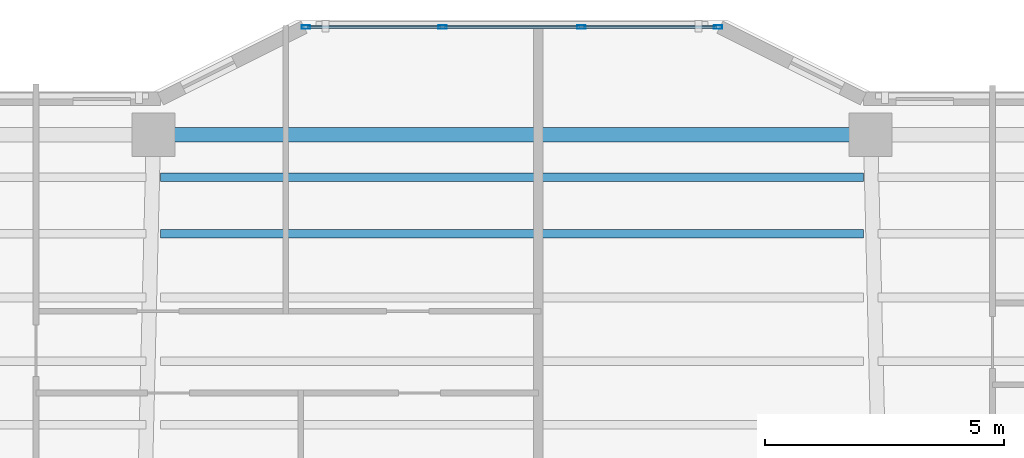
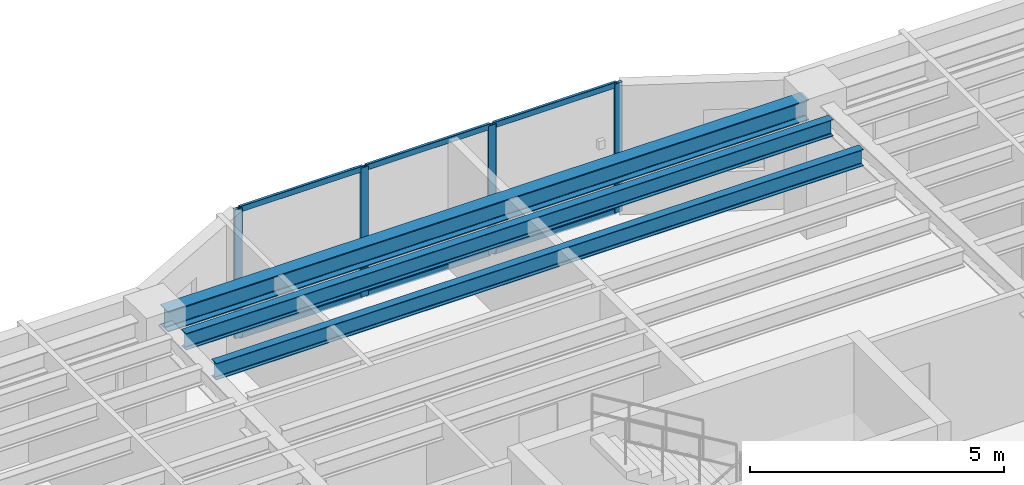
# One storey, part 4 of 15: 10 members, 3 beams, 1 element without a shape of its own.
"""IFC4 building model written with IfcOpenShell, lengths in metres."""

from ifc_helpers import new_model, si_unit, direction, frame, origin, origin_2d, place, context, subcontext, project, spatial, hollow_rectangle, i_section, extrude, material, layer, layer_set, material_profile, profile_set, type_object, element, aggregate, save


model = new_model("IFC4")

# Units and contexts
model_context = context("Model", 3, precision=1e-05, world=origin(), true_north=direction((0.0, 1.0)))
body_context = subcontext(model_context, "Body", "Model", "MODEL_VIEW")
ifc_project = project(units=[si_unit("LENGTHUNIT", "METRE"), si_unit("AREAUNIT", "SQUARE_METRE"), si_unit("VOLUMEUNIT", "CUBIC_METRE"), si_unit("PLANEANGLEUNIT", "RADIAN"), si_unit("MASSUNIT", "GRAM", prefix="KILO")], contexts=[model_context])

# Site, building, storey
site_placement = place(None, origin())
site = spatial("IfcSite", under=ifc_project, at=site_placement, CompositionType="ELEMENT")
building_placement = place(site_placement, origin())
building = spatial("IfcBuilding", under=site, at=building_placement, Name="Tarnavaz Court Tower", CompositionType="ELEMENT")
storey_placement = place(building_placement, frame((0.0, 0.0, 159.39990234375)))
storey = spatial("IfcBuildingStorey", under=building, at=storey_placement, Name="L43", CompositionType="ELEMENT", Elevation=159.39990234375)

# Beams
ifc_material_1 = material(Name="Steel S355", Category="steel")
ifc_material_profile_1 = material_profile(ifc_material_1, i_section(OverallWidth=0.179931640625, OverallDepth=0.39990234375, WebThickness=0.008544921875, FlangeThickness=0.013427734375, FilletRadius=0.02099609375, at=origin_2d()), Name="IPE 400")
ifc_profile_set_1 = profile_set([ifc_material_profile_1], Name="Steel S355")
beam_type_1 = type_object("IfcBeamType", Name="BM-J-IPE400", PredefinedType="JOIST", material=ifc_profile_set_1)
for number, where, z_axis, x_axis, name in (
    (1, (-7.35009765625, 18.327880859375, 2.900146484375), (1.0, 0.0, 0.0), (0.0, 1.0, 0.0), "L43 Beam JN4-2"),
    (2, (-7.35009765625, 19.511962890625, 2.900146484375), (1.0, 0.0, 0.0), (0.0, 1.0, 0.0), "L43 Beam JN5-2"),
):
    element("IfcBeam", number, at=place(storey_placement, frame(where, z_axis=z_axis, x_axis=x_axis)), inside=storey, type_object=beam_type_1, Name=name, PredefinedType="JOIST", context=body_context, shape_type="SweptSolid", body=[
        extrude(i_section(OverallWidth=0.179931640625, OverallDepth=0.39990234375, WebThickness=0.008544921875, FlangeThickness=0.013427734375, FilletRadius=0.02099609375, at=origin_2d()), origin(), (0.0, 0.0, 1.0), 14.7001953125),
    ])
ifc_material_profile_2 = material_profile(ifc_material_1, i_section(OverallWidth=0.300048828125, OverallDepth=0.489990234375, WebThickness=0.011962890625, FlangeThickness=0.02294921875, FilletRadius=0.027099609375, at=origin_2d()), Name="HEA 500")
ifc_profile_set_2 = profile_set([ifc_material_profile_2], Name="Steel S355")
beam_type_2 = type_object("IfcBeamType", Name="BM-SP-HEA500", PredefinedType="SPANDREL", material=ifc_profile_set_2)
beam_placement = place(storey_placement, frame((-7.280029296875, 20.39990234375, 2.85498046875), z_axis=(1.0, 0.0, 0.0), x_axis=(0.0, 1.0, 0.0)))
element("IfcBeam", 3, at=beam_placement, inside=storey, type_object=beam_type_2, Name="L43 Beam PR-PN-2-PN-3", PredefinedType="SPANDREL", context=body_context, shape_type="SweptSolid", body=[
    extrude(i_section(OverallWidth=0.300048828125, OverallDepth=0.489990234375, WebThickness=0.011962890625, FlangeThickness=0.02294921875, FilletRadius=0.027099609375, at=origin_2d()), origin(), (0.0, 0.0, 1.0), 14.56005859375),
])

# Curtain wall, members
ifc_material_2 = material(Name="Anodised Aluminium 6063-T6 and Solar Low-E Glazing", Category="aluminium")
ifc_layer = layer(ifc_material_2, 0.159912109375)
ifc_layer_set = layer_set([ifc_layer], Name="Anodised Aluminium 6063-T6 and Solar Low-E Glazing")
curtain_wall_type = type_object("IfcCurtainWallType", Name="CW-SYS-03", PredefinedType="NOTDEFINED", material=ifc_layer_set)
curtain_wall_placement = place(storey_placement, origin())
curtain_wall = element("IfcCurtainWall", 4, at=curtain_wall_placement, inside=storey, type_object=curtain_wall_type, Name="L43 Iwan Prow Curtain Wall 7", PredefinedType="NOTDEFINED")
ifc_material_3 = material(Name="Anodised Aluminium 6063-T6", Category="aluminium")
ifc_material_profile_3 = material_profile(ifc_material_3, hollow_rectangle(XDim=0.074951171875, YDim=0.179931640625, WallThickness=0.0048828125, InnerFilletRadius=0.0048828125, OuterFilletRadius=0.010009765625, at=origin_2d()), Name="ALU RHS 180X75X5")
ifc_profile_set_3 = profile_set([ifc_material_profile_3], Name="Anodised Aluminium 6063-T6")
member_type_1 = type_object("IfcMemberType", Name="CW-MUL-180", PredefinedType="MULLION", material=ifc_profile_set_3)
member_1_placement = place(storey_placement, frame((-4.3125, 22.64990234375, 0.0), z_axis=(0.0, 0.0, 1.0), x_axis=(0.0, 1.0, 0.0)))
member_1 = element("IfcMember", 5, at=member_1_placement, type_object=member_type_1, Name="CW mullion 1", PredefinedType="MULLION", context=body_context, shape_type="SweptSolid", body=[
    extrude(hollow_rectangle(XDim=0.074951171875, YDim=0.179931640625, WallThickness=0.0048828125, InnerFilletRadius=0.0048828125, OuterFilletRadius=0.010009765625, at=origin_2d()), origin(), (0.0, 0.0, 1.0), 3.10009765625),
])
member_2_placement = place(storey_placement, frame((-1.449951171875, 22.64990234375, 0.0), z_axis=(0.0, 0.0, 1.0), x_axis=(0.0, 1.0, 0.0)))
member_2 = element("IfcMember", 6, at=member_2_placement, type_object=member_type_1, Name="CW mullion 2", PredefinedType="MULLION", context=body_context, shape_type="SweptSolid", body=[
    extrude(hollow_rectangle(XDim=0.074951171875, YDim=0.179931640625, WallThickness=0.0048828125, InnerFilletRadius=0.0048828125, OuterFilletRadius=0.010009765625, at=origin_2d()), origin(), (0.0, 0.0, 1.0), 3.10009765625),
])
member_3_placement = place(storey_placement, frame((1.449951171875, 22.64990234375, 0.0), z_axis=(0.0, 0.0, 1.0), x_axis=(0.0, 1.0, 0.0)))
member_3 = element("IfcMember", 7, at=member_3_placement, type_object=member_type_1, Name="CW mullion 3", PredefinedType="MULLION", context=body_context, shape_type="SweptSolid", body=[
    extrude(hollow_rectangle(XDim=0.074951171875, YDim=0.179931640625, WallThickness=0.0048828125, InnerFilletRadius=0.0048828125, OuterFilletRadius=0.010009765625, at=origin_2d()), origin(), (0.0, 0.0, 1.0), 3.10009765625),
])
member_4_placement = place(storey_placement, frame((4.3125, 22.64990234375, 0.0), z_axis=(0.0, 0.0, 1.0), x_axis=(0.0, 1.0, 0.0)))
member_4 = element("IfcMember", 8, at=member_4_placement, type_object=member_type_1, Name="CW mullion 4", PredefinedType="MULLION", context=body_context, shape_type="SweptSolid", body=[
    extrude(hollow_rectangle(XDim=0.074951171875, YDim=0.179931640625, WallThickness=0.0048828125, InnerFilletRadius=0.0048828125, OuterFilletRadius=0.010009765625, at=origin_2d()), origin(), (0.0, 0.0, 1.0), 3.10009765625),
])
ifc_material_profile_4 = material_profile(ifc_material_3, hollow_rectangle(XDim=0.06494140625, YDim=0.139892578125, WallThickness=0.00390625, InnerFilletRadius=0.00390625, OuterFilletRadius=0.008056640625, at=origin_2d()), Name="ALU RHS 140X65X4")
ifc_profile_set_4 = profile_set([ifc_material_profile_4], Name="Anodised Aluminium 6063-T6")
member_type_2 = type_object("IfcMemberType", Name="CW-TRN-140", PredefinedType="USERDEFINED", material=ifc_profile_set_4)
member_5_placement = place(storey_placement, frame((-4.27490234375, 22.64990234375, 0.03271484375), z_axis=(1.0, 0.0, 0.0), x_axis=(0.0, 1.0, 0.0)))
member_5 = element("IfcMember", 9, at=member_5_placement, type_object=member_type_2, Name="CW transom 1.1", ObjectType="TRANSOM", PredefinedType="USERDEFINED", context=body_context, shape_type="SweptSolid", body=[
    extrude(hollow_rectangle(XDim=0.06494140625, YDim=0.139892578125, WallThickness=0.00390625, InnerFilletRadius=0.00390625, OuterFilletRadius=0.008056640625, at=origin_2d()), origin(), (0.0, 0.0, 1.0), 2.787353515625),
])
member_6_placement = place(storey_placement, frame((-4.27490234375, 22.64990234375, 3.067626953125), z_axis=(1.0, 0.0, 0.0), x_axis=(0.0, 1.0, 0.0)))
member_6 = element("IfcMember", 10, at=member_6_placement, type_object=member_type_2, Name="CW transom 1.2", ObjectType="TRANSOM", PredefinedType="USERDEFINED", context=body_context, shape_type="SweptSolid", body=[
    extrude(hollow_rectangle(XDim=0.06494140625, YDim=0.139892578125, WallThickness=0.00390625, InnerFilletRadius=0.00390625, OuterFilletRadius=0.008056640625, at=origin_2d()), origin(), (0.0, 0.0, 1.0), 2.787353515625),
])
member_7_placement = place(storey_placement, frame((-1.41259765625, 22.64990234375, 0.03271484375), z_axis=(1.0, 0.0, 0.0), x_axis=(0.0, 1.0, 0.0)))
member_7 = element("IfcMember", 11, at=member_7_placement, type_object=member_type_2, Name="CW transom 2.1", ObjectType="TRANSOM", PredefinedType="USERDEFINED", context=body_context, shape_type="SweptSolid", body=[
    extrude(hollow_rectangle(XDim=0.06494140625, YDim=0.139892578125, WallThickness=0.00390625, InnerFilletRadius=0.00390625, OuterFilletRadius=0.008056640625, at=origin_2d()), origin(), (0.0, 0.0, 1.0), 2.8251953125),
])
member_8_placement = place(storey_placement, frame((-1.41259765625, 22.64990234375, 3.067626953125), z_axis=(1.0, 0.0, 0.0), x_axis=(0.0, 1.0, 0.0)))
member_8 = element("IfcMember", 12, at=member_8_placement, type_object=member_type_2, Name="CW transom 2.2", ObjectType="TRANSOM", PredefinedType="USERDEFINED", context=body_context, shape_type="SweptSolid", body=[
    extrude(hollow_rectangle(XDim=0.06494140625, YDim=0.139892578125, WallThickness=0.00390625, InnerFilletRadius=0.00390625, OuterFilletRadius=0.008056640625, at=origin_2d()), origin(), (0.0, 0.0, 1.0), 2.8251953125),
])
member_9_placement = place(storey_placement, frame((1.487548828125, 22.64990234375, 0.03271484375), z_axis=(1.0, 0.0, 0.0), x_axis=(0.0, 1.0, 0.0)))
member_9 = element("IfcMember", 13, at=member_9_placement, type_object=member_type_2, Name="CW transom 3.1", ObjectType="TRANSOM", PredefinedType="USERDEFINED", context=body_context, shape_type="SweptSolid", body=[
    extrude(hollow_rectangle(XDim=0.06494140625, YDim=0.139892578125, WallThickness=0.00390625, InnerFilletRadius=0.00390625, OuterFilletRadius=0.008056640625, at=origin_2d()), origin(), (0.0, 0.0, 1.0), 2.787353515625),
])
member_10_placement = place(storey_placement, frame((1.487548828125, 22.64990234375, 3.067626953125), z_axis=(1.0, 0.0, 0.0), x_axis=(0.0, 1.0, 0.0)))
member_10 = element("IfcMember", 14, at=member_10_placement, type_object=member_type_2, Name="CW transom 3.2", ObjectType="TRANSOM", PredefinedType="USERDEFINED", context=body_context, shape_type="SweptSolid", body=[
    extrude(hollow_rectangle(XDim=0.06494140625, YDim=0.139892578125, WallThickness=0.00390625, InnerFilletRadius=0.00390625, OuterFilletRadius=0.008056640625, at=origin_2d()), origin(), (0.0, 0.0, 1.0), 2.787353515625),
])
aggregate(curtain_wall, [member_1, member_2, member_3, member_4, member_5, member_6, member_7, member_8, member_9, member_10])

save(model, "model.ifc")
